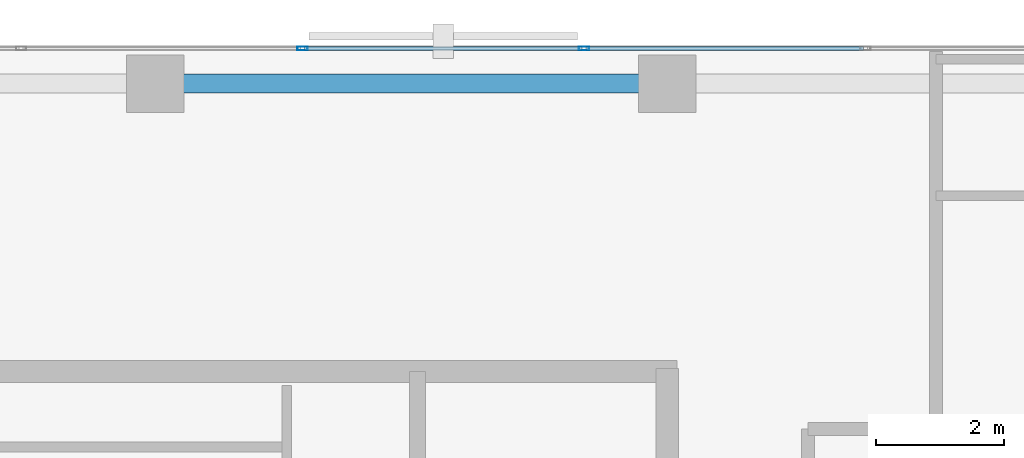
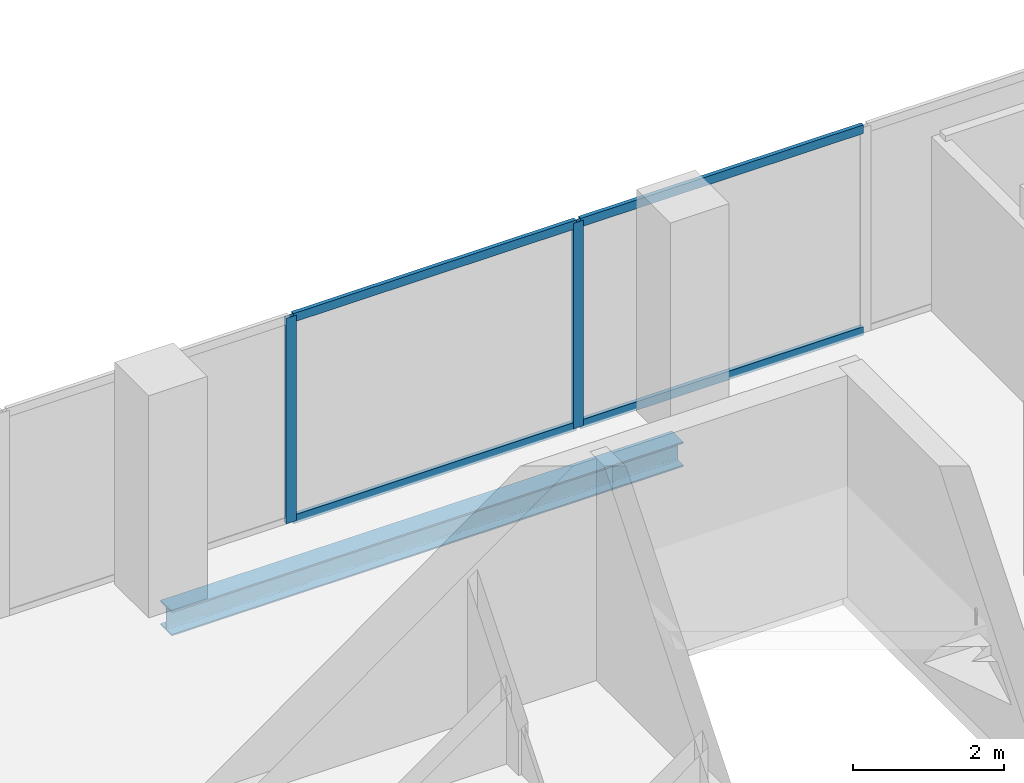
# One storey, part 24 of 34: 6 members, 1 beam, 1 element without a shape of its own.
"""IFC4 building model written with IfcOpenShell, lengths in metres."""

from ifc_helpers import new_model, si_unit, direction, frame, origin, origin_2d, place, context, subcontext, project, spatial, hollow_rectangle, i_section, extrude, material, layer, layer_set, material_profile, profile_set, type_object, element, aggregate, save


model = new_model("IFC4")

# Units and contexts
model_context = context("Model", 3, precision=1e-05, world=origin(), true_north=direction((0.0, 1.0)))
body_context = subcontext(model_context, "Body", "Model", "MODEL_VIEW")
ifc_project = project(units=[si_unit("LENGTHUNIT", "METRE"), si_unit("AREAUNIT", "SQUARE_METRE"), si_unit("VOLUMEUNIT", "CUBIC_METRE"), si_unit("PLANEANGLEUNIT", "RADIAN"), si_unit("MASSUNIT", "GRAM", prefix="KILO")], contexts=[model_context])

# Site, building, storey
site_placement = place(None, origin())
site = spatial("IfcSite", under=ifc_project, at=site_placement, CompositionType="ELEMENT")
building_placement = place(site_placement, origin())
building = spatial("IfcBuilding", under=site, at=building_placement, Name="Catumbela Crestline Tower", CompositionType="ELEMENT")
storey_placement = place(building_placement, frame((0.0, 0.0, 93.6)))
storey = spatial("IfcBuildingStorey", under=building, at=storey_placement, Name="L23", CompositionType="ELEMENT", Elevation=93.6)

# Curtain wall, members
ifc_material_1 = material(Name="Aluminium alloy AW-6060-T66", Category="aluminium")
ifc_layer = layer(ifc_material_1, 0.18, Name="Aluminium alloy AW-6060-T66")
ifc_layer_set = layer_set([ifc_layer], Name="Aluminium alloy AW-6060-T66")
curtain_wall_type = type_object("IfcCurtainWallType", Name="CWU-Z2", PredefinedType="USERDEFINED", material=ifc_layer_set)
curtain_wall_placement = place(storey_placement, origin())
curtain_wall = element("IfcCurtainWall", 1, at=curtain_wall_placement, inside=storey, type_object=curtain_wall_type, Name="L23 Unitised Curtain Wall CW-L23-E7S1", ObjectType="UNITISED", PredefinedType="USERDEFINED")
ifc_material_profile_1 = material_profile(ifc_material_1, hollow_rectangle(XDim=0.06, YDim=0.16, WallThickness=0.004, at=origin_2d()), Name="ALU 160x60x4")
ifc_profile_set_1 = profile_set([ifc_material_profile_1], Name="Aluminium alloy AW-6060-T66")
member_type_1 = type_object("IfcMemberType", Name="MUL-160X60", PredefinedType="MULLION", material=ifc_profile_set_1)
member_1_placement = place(storey_placement, frame((38.7, 47.95, 0.0), z_axis=(0.0, 0.0, 1.0), x_axis=(0.0, -1.0, 0.0)))
member_1 = element("IfcMember", 2, at=member_1_placement, type_object=member_type_1, Name="CWU-Z2 mullion 3", PredefinedType="MULLION", context=body_context, shape_type="SweptSolid", body=[
    extrude(hollow_rectangle(XDim=0.06, YDim=0.16, WallThickness=0.004, at=origin_2d()), origin(), (0.0, 0.0, 1.0), 3.33),
])
member_2_placement = place(storey_placement, frame((34.3, 47.95, 0.0), z_axis=(0.0, 0.0, 1.0), x_axis=(0.0, -1.0, 0.0)))
member_2 = element("IfcMember", 3, at=member_2_placement, type_object=member_type_1, Name="CWU-Z2 mullion 4", PredefinedType="MULLION", context=body_context, shape_type="SweptSolid", body=[
    extrude(hollow_rectangle(XDim=0.06, YDim=0.16, WallThickness=0.004, at=origin_2d()), origin(), (0.0, 0.0, 1.0), 3.33),
])

# Beam
ifc_material_2 = material(Name="Structural steel S355J2", Category="steel")
ifc_material_profile_2 = material_profile(ifc_material_2, i_section(OverallWidth=0.3, OverallDepth=0.4, WebThickness=0.0135, FlangeThickness=0.024, FilletRadius=0.027, at=origin_2d()), Name="HEB 400")
ifc_profile_set_2 = profile_set([ifc_material_profile_2], Name="Structural steel S355J2")
beam_type = type_object("IfcBeamType", Name="BS-HEB400", PredefinedType="SPANDREL", material=ifc_profile_set_2)
beam_placement = place(storey_placement, frame((32.08, 47.4, -0.46), z_axis=(1.0, 0.0, 0.0), x_axis=(0.0, 1.0, 0.0)))
element("IfcBeam", 4, at=beam_placement, inside=storey, type_object=beam_type, Name="L23 Spandrel SP-L23-NF20", PredefinedType="SPANDREL", context=body_context, shape_type="SweptSolid", body=[
    extrude(i_section(OverallWidth=0.3, OverallDepth=0.4, WebThickness=0.0135, FlangeThickness=0.024, FilletRadius=0.027, at=origin_2d()), origin(), (0.0, 0.0, 1.0), 7.84),
])

# Member
ifc_material_profile_3 = material_profile(ifc_material_1, hollow_rectangle(XDim=0.06, YDim=0.14, WallThickness=0.004, at=origin_2d()), Name="ALU 140x60x4")
ifc_profile_set_3 = profile_set([ifc_material_profile_3], Name="Aluminium alloy AW-6060-T66")
member_type_2 = type_object("IfcMemberType", Name="TRN-140X60", PredefinedType="USERDEFINED", material=ifc_profile_set_3)
member_3_placement = place(storey_placement, frame((43.0675, 47.95, 0.03), z_axis=(-1.0, 0.0, 0.0), x_axis=(0.0, -1.0, 0.0)))
member_3 = element("IfcMember", 5, at=member_3_placement, type_object=member_type_2, Name="CWU-Z2 transom 2.1", ObjectType="TRANSOM", PredefinedType="USERDEFINED", context=body_context, shape_type="SweptSolid", body=[
    extrude(hollow_rectangle(XDim=0.06, YDim=0.14, WallThickness=0.004, at=origin_2d()), origin(), (0.0, 0.0, 1.0), 4.335),
])

member_4_placement = place(storey_placement, frame((43.0675, 47.95, 3.3), z_axis=(-1.0, 0.0, 0.0), x_axis=(0.0, -1.0, 0.0)))
member_4 = element("IfcMember", 6, at=member_4_placement, type_object=member_type_2, Name="CWU-Z2 transom 2.2", ObjectType="TRANSOM", PredefinedType="USERDEFINED", context=body_context, shape_type="SweptSolid", body=[
    extrude(hollow_rectangle(XDim=0.06, YDim=0.14, WallThickness=0.004, at=origin_2d()), origin(), (0.0, 0.0, 1.0), 4.335),
])

member_5_placement = place(storey_placement, frame((38.6675, 47.95, 0.03), z_axis=(-1.0, 0.0, 0.0), x_axis=(0.0, -1.0, 0.0)))
member_5 = element("IfcMember", 7, at=member_5_placement, type_object=member_type_2, Name="CWU-Z2 transom 3.1", ObjectType="TRANSOM", PredefinedType="USERDEFINED", context=body_context, shape_type="SweptSolid", body=[
    extrude(hollow_rectangle(XDim=0.06, YDim=0.14, WallThickness=0.004, at=origin_2d()), origin(), (0.0, 0.0, 1.0), 4.335),
])

member_6_placement = place(storey_placement, frame((38.6675, 47.95, 3.3), z_axis=(-1.0, 0.0, 0.0), x_axis=(0.0, -1.0, 0.0)))
member_6 = element("IfcMember", 8, at=member_6_placement, type_object=member_type_2, Name="CWU-Z2 transom 3.2", ObjectType="TRANSOM", PredefinedType="USERDEFINED", context=body_context, shape_type="SweptSolid", body=[
    extrude(hollow_rectangle(XDim=0.06, YDim=0.14, WallThickness=0.004, at=origin_2d()), origin(), (0.0, 0.0, 1.0), 4.335),
])

aggregate(curtain_wall, [member_1, member_2, member_3, member_4, member_5, member_6])

save(model, "model.ifc")
